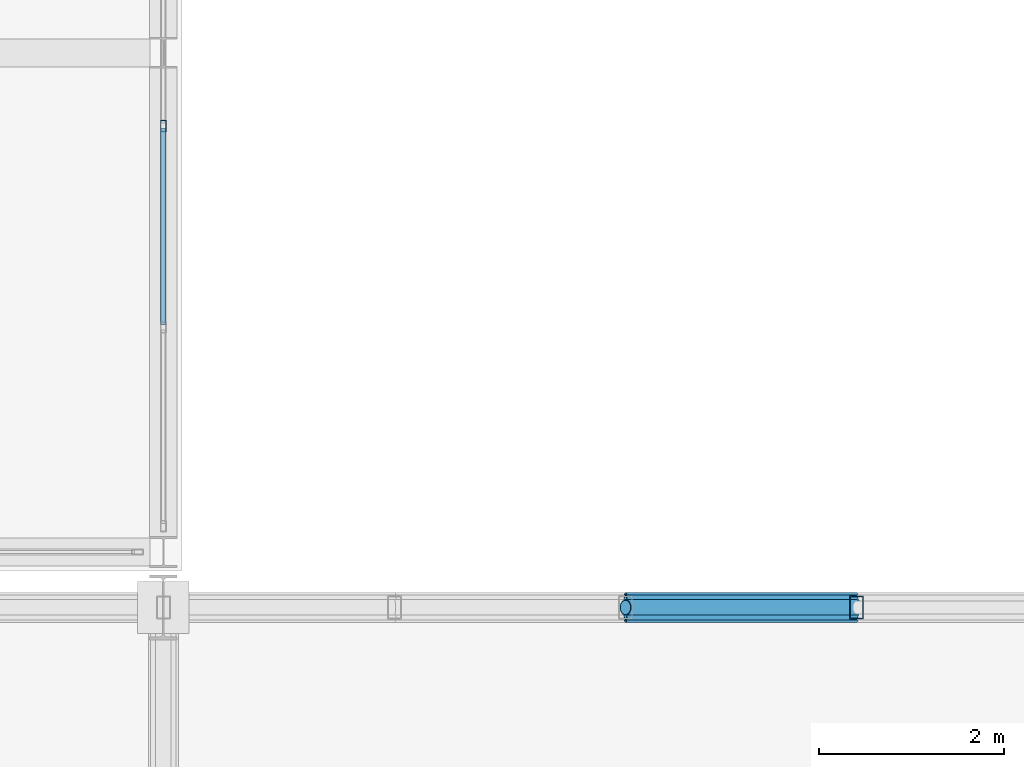
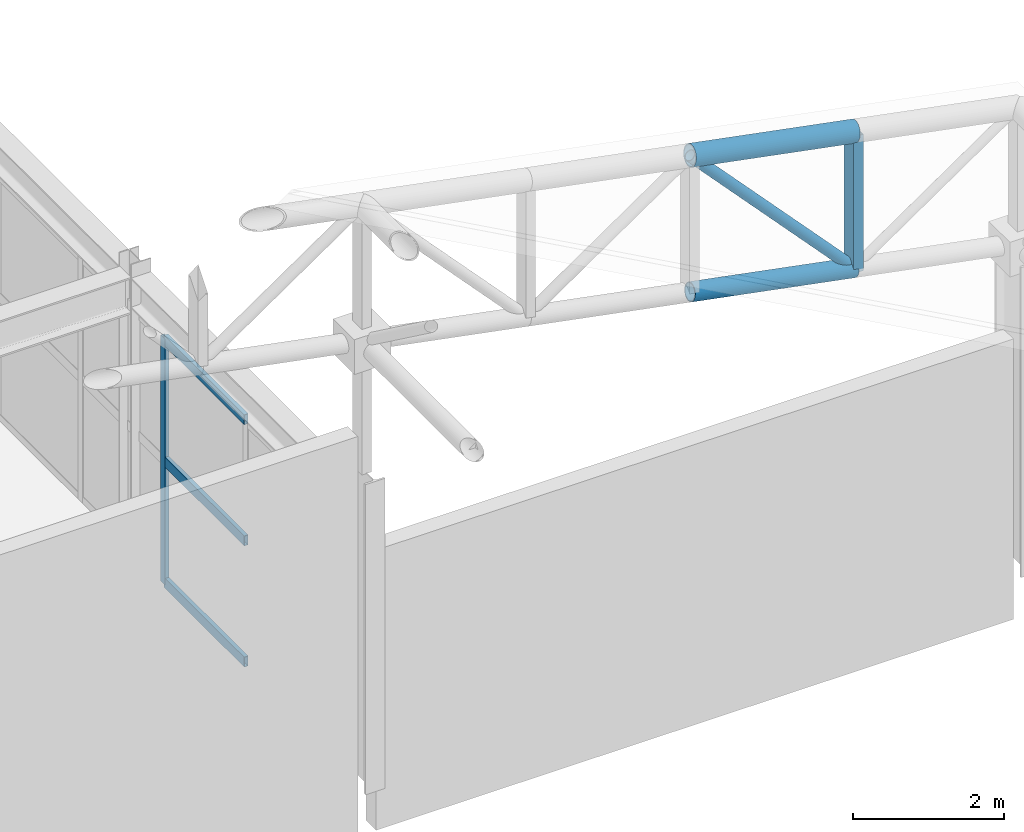
# One storey, part 78 of 112: 8 members, 1 element without a shape of its own.
"""IFC4 building model written with IfcOpenShell, lengths in metres."""

from ifc_helpers import new_model, si_unit, direction, frame, origin, origin_2d, place, context, subcontext, project, spatial, hollow_rectangle, hollow_circle, extrude, material, material_profile, profile_set, type_object, element, aggregate, save


model = new_model("IFC4")

# Units and contexts
model_context = context("Model", 3, precision=1e-05, world=origin(), true_north=direction((0.0, 1.0)))
body_context = subcontext(model_context, "Body", "Model", "MODEL_VIEW")
ifc_project = project(units=[si_unit("LENGTHUNIT", "METRE"), si_unit("AREAUNIT", "SQUARE_METRE"), si_unit("VOLUMEUNIT", "CUBIC_METRE"), si_unit("PLANEANGLEUNIT", "RADIAN"), si_unit("MASSUNIT", "GRAM", prefix="KILO")], contexts=[model_context])

# Site, building, storey
site_placement = place(None, origin())
site = spatial("IfcSite", under=ifc_project, at=site_placement, CompositionType="ELEMENT")
building_placement = place(site_placement, origin())
building = spatial("IfcBuilding", under=site, at=building_placement, Name="Kaldris Quays Convention Centre", CompositionType="ELEMENT")
storey_placement = place(building_placement, frame((0.0, 0.0, 16.800048828125)))
storey = spatial("IfcBuildingStorey", under=building, at=storey_placement, Name="L03", CompositionType="ELEMENT", Elevation=16.800048828125)

# Curtain wall, members
ifc_material_1 = material(Name="Anodized aluminium AW-6060 and triple glazing", Category="aluminium")
curtain_wall_type = type_object("IfcCurtainWallType", Name="UNITISED CURTAIN WALL CW06", PredefinedType="NOTDEFINED", material=ifc_material_1)
curtain_wall_placement = place(storey_placement, origin())
curtain_wall = element("IfcCurtainWall", 1, at=curtain_wall_placement, inside=storey, type_object=curtain_wall_type, Name="L03 Unitised Curtain Wall CW06 179", PredefinedType="NOTDEFINED")
ifc_material_2 = material(Name="Anodized aluminium AW-6060", Category="aluminium")
ifc_material_profile_1 = material_profile(ifc_material_2, hollow_rectangle(XDim=0.06005859375, YDim=0.1201171875, WallThickness=0.00390625, at=origin_2d()), Name="RHS 120x60x4")
ifc_profile_set_1 = profile_set([ifc_material_profile_1], Name="Anodized aluminium AW-6060")
member_type_1 = type_object("IfcMemberType", Name="CURTAIN MULLION CWM3", PredefinedType="MULLION", material=ifc_profile_set_1)
member_1_placement = place(storey_placement, frame((194.0, 109.2099609375, 0.0), z_axis=(0.0, 0.0, 1.0), x_axis=(-1.0, 0.0, 0.0)))
member_1 = element("IfcMember", 2, at=member_1_placement, type_object=member_type_1, Name="CW06 mullion 3", PredefinedType="MULLION", context=body_context, shape_type="SweptSolid", body=[
    extrude(hollow_rectangle(XDim=0.06005859375, YDim=0.1201171875, WallThickness=0.00390625, at=origin_2d()), origin(), (0.0, 0.0, 1.0), 3.967041015625),
])
ifc_material_profile_2 = material_profile(ifc_material_2, hollow_rectangle(XDim=0.06005859375, YDim=0.159912109375, WallThickness=0.00390625, at=origin_2d()), Name="RHS 160x60x4")
ifc_profile_set_2 = profile_set([ifc_material_profile_2], Name="Anodized aluminium AW-6060")
member_type_2 = type_object("IfcMemberType", Name="CURTAIN TRANSOM CWT2", PredefinedType="USERDEFINED", material=ifc_profile_set_2)
member_2_placement = place(storey_placement, frame((194.0, 107.06005859375, 0.030029296875), z_axis=(0.0, 1.0, 0.0), x_axis=(-1.0, 0.0, 0.0)))
member_2 = element("IfcMember", 3, at=member_2_placement, type_object=member_type_2, Name="CW06 transom 2.1", ObjectType="TRANSOM", PredefinedType="USERDEFINED", context=body_context, shape_type="SweptSolid", body=[
    extrude(hollow_rectangle(XDim=0.06005859375, YDim=0.159912109375, WallThickness=0.00390625, at=origin_2d()), origin(), (0.0, 0.0, 1.0), 2.119873046875),
])
member_3_placement = place(storey_placement, frame((194.0, 107.06005859375, 1.98388671875), z_axis=(0.0, 1.0, 0.0), x_axis=(-1.0, 0.0, 0.0)))
member_3 = element("IfcMember", 4, at=member_3_placement, type_object=member_type_2, Name="CW06 transom 2.2", ObjectType="TRANSOM", PredefinedType="USERDEFINED", context=body_context, shape_type="SweptSolid", body=[
    extrude(hollow_rectangle(XDim=0.06005859375, YDim=0.159912109375, WallThickness=0.00390625, at=origin_2d()), origin(), (0.0, 0.0, 1.0), 2.119873046875),
])
member_4_placement = place(storey_placement, frame((194.0, 107.06005859375, 3.93701171875), z_axis=(0.0, 1.0, 0.0), x_axis=(-1.0, 0.0, 0.0)))
member_4 = element("IfcMember", 5, at=member_4_placement, type_object=member_type_2, Name="CW06 transom 2.3", ObjectType="TRANSOM", PredefinedType="USERDEFINED", context=body_context, shape_type="SweptSolid", body=[
    extrude(hollow_rectangle(XDim=0.06005859375, YDim=0.159912109375, WallThickness=0.00390625, at=origin_2d()), origin(), (0.0, 0.0, 1.0), 2.119873046875),
])
aggregate(curtain_wall, [member_1, member_2, member_3, member_4])

# Members
ifc_material_3 = material(Name="Steel S355J2H", Category="steel")
ifc_material_profile_3 = material_profile(ifc_material_3, hollow_circle(Radius=0.161865234375, WallThickness=0.01611328125, at=origin_2d()), Name="CHS 323.9x16")
ifc_profile_set_3 = profile_set([ifc_material_profile_3], Name="Steel S355J2H")
member_type_3 = type_object("IfcMemberType", Name="STRUCTURAL MEMBER SC03", PredefinedType="CHORD", material=ifc_profile_set_3)
member_5_placement = place(storey_placement, frame((199.0, 104.0, 8.294921875), z_axis=(0.981903710383, 0.0, -0.189380842579), x_axis=(0.0, 1.0, 0.0)))
element("IfcMember", 6, at=member_5_placement, inside=storey, type_object=member_type_3, Name="SF-V2 Top Chord X 74", PredefinedType="CHORD", context=body_context, shape_type="SweptSolid", body=[
    extrude(hollow_circle(Radius=0.161865234375, WallThickness=0.01611328125, at=origin_2d()), origin(), (0.0, 0.0, 1.0), 2.546142578125),
])
ifc_material_profile_4 = material_profile(ifc_material_3, hollow_circle(Radius=0.136474609375, WallThickness=0.012451171875, at=origin_2d()), Name="CHS 273x12.5")
ifc_profile_set_4 = profile_set([ifc_material_profile_4], Name="Steel S355J2H")
member_type_4 = type_object("IfcMemberType", Name="STRUCTURAL MEMBER SC04", PredefinedType="CHORD", material=ifc_profile_set_4)
member_6_placement = place(storey_placement, frame((199.0, 104.0, 6.094970703125), z_axis=(0.981885875429, 0.0, -0.189473290024), x_axis=(0.0, 1.0, 0.0)))
element("IfcMember", 7, at=member_6_placement, inside=storey, type_object=member_type_4, Name="SF-V2 Bottom Chord X 74", PredefinedType="CHORD", context=body_context, shape_type="SweptSolid", body=[
    extrude(hollow_circle(Radius=0.136474609375, WallThickness=0.012451171875, at=origin_2d()), origin(), (0.0, 0.0, 1.0), 2.546142578125),
])
ifc_material_profile_5 = material_profile(ifc_material_3, hollow_circle(Radius=0.084228515625, WallThickness=0.008056640625, at=origin_2d()), Name="CHS 168.3x8")
ifc_profile_set_5 = profile_set([ifc_material_profile_5], Name="Steel S355J2H")
member_type_5 = type_object("IfcMemberType", Name="STRUCTURAL MEMBER SWB2", PredefinedType="BRACE", material=ifc_profile_set_5)
member_7_placement = place(storey_placement, frame((201.5, 104.0, 5.612548828125), z_axis=(-0.681800921589, 0.0, 0.731537766162), x_axis=(0.0, -1.0, 0.0)))
element("IfcMember", 8, at=member_7_placement, inside=storey, type_object=member_type_5, Name="SF-V2 Web Diagonal X 74", PredefinedType="BRACE", context=body_context, shape_type="SweptSolid", body=[
    extrude(hollow_circle(Radius=0.084228515625, WallThickness=0.008056640625, at=origin_2d()), origin(), (0.0, 0.0, 1.0), 3.666748046875),
])
ifc_material_profile_6 = material_profile(ifc_material_3, hollow_rectangle(XDim=0.14990234375, YDim=0.25, WallThickness=0.010009765625, at=origin_2d()), Name="RHS 250x150x10")
ifc_profile_set_6 = profile_set([ifc_material_profile_6], Name="Steel S355J2H")
member_type_6 = type_object("IfcMemberType", Name="STRUCTURAL MEMBER TTV1", PredefinedType="POST", material=ifc_profile_set_6)
member_8_placement = place(storey_placement, frame((201.5, 104.0, 5.612548828125), z_axis=(0.0, 0.0, 1.0), x_axis=(1.0, 0.0, 0.0)))
element("IfcMember", 9, at=member_8_placement, inside=storey, type_object=member_type_6, Name="SF-V2 Space-Frame Post 123", PredefinedType="POST", context=body_context, shape_type="SweptSolid", body=[
    extrude(hollow_rectangle(XDim=0.14990234375, YDim=0.25, WallThickness=0.010009765625, at=origin_2d()), origin(), (0.0, 0.0, 1.0), 2.2001953125),
])

save(model, "model.ifc")
